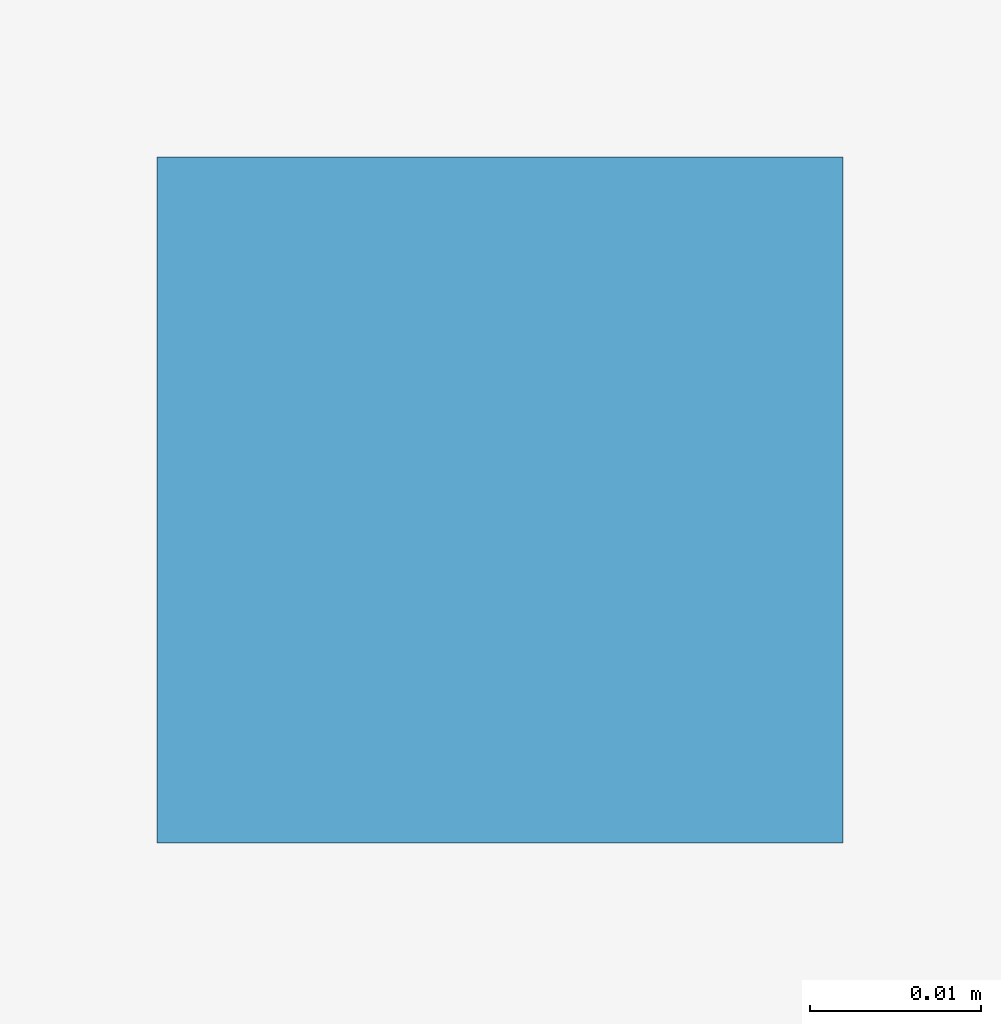
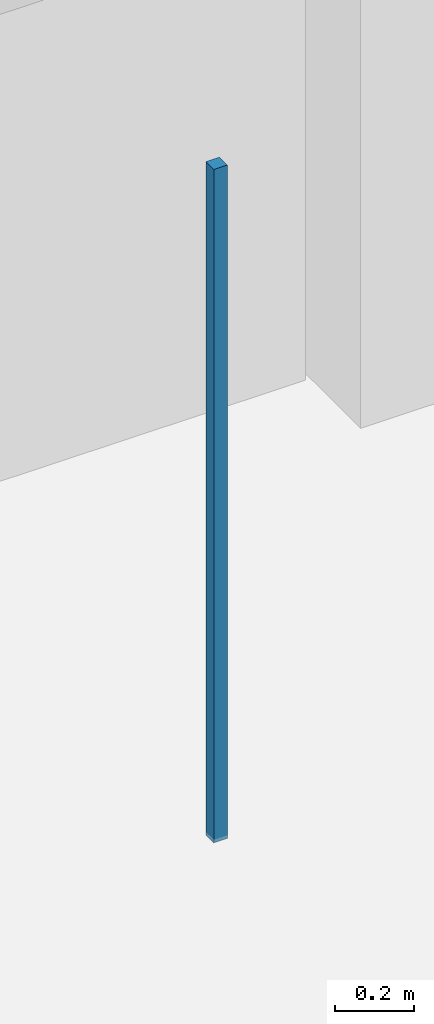
# One storey, part 115 of 157: 1 discrete accessory.
"""IFC4 building model written with IfcOpenShell, lengths in metres."""

from ifc_helpers import new_model, si_unit, direction, frame, origin, origin_2d, place, context, subcontext, project, spatial, rectangle, extrude, material, type_object, element, save


model = new_model("IFC4")

# Units and contexts
model_context = context("Model", 3, precision=1e-05, world=origin(), true_north=direction((0.0, 1.0)))
body_context = subcontext(model_context, "Body", "Model", "MODEL_VIEW")
ifc_project = project(units=[si_unit("LENGTHUNIT", "METRE"), si_unit("AREAUNIT", "SQUARE_METRE"), si_unit("VOLUMEUNIT", "CUBIC_METRE"), si_unit("PLANEANGLEUNIT", "RADIAN"), si_unit("MASSUNIT", "GRAM", prefix="KILO")], contexts=[model_context])

# Site, building, storey
site_placement = place(None, origin())
site = spatial("IfcSite", under=ifc_project, at=site_placement, CompositionType="ELEMENT")
building_placement = place(site_placement, origin())
building = spatial("IfcBuilding", under=site, at=building_placement, Name="Varncliffe General Hospital", CompositionType="ELEMENT")
storey_placement = place(building_placement, frame((0.0, 0.0, 5.39990234375)))
storey = spatial("IfcBuildingStorey", under=building, at=storey_placement, Name="L01", CompositionType="ELEMENT", Elevation=5.39990234375)

# Discrete accessory
ifc_material = material(Name="Powder-coated hospital steel guardrail and handrail", Category="steel")
discrete_accessory_type = type_object("IfcDiscreteAccessoryType", Name="Suspended Ceiling Hanger Bracket CH01", PredefinedType="BRACKET", material=ifc_material)
discrete_accessory_placement = place(storey_placement, frame((29.800048828125, 93.969970703125, 3.18994140625), z_axis=(0.0, 0.0, 1.0), x_axis=(1.0, 0.0, 0.0)))
element("IfcDiscreteAccessory", 1, at=discrete_accessory_placement, inside=storey, type_object=discrete_accessory_type, Name="L01 Suspended Ceiling Hanger 159", PredefinedType="BRACKET", context=body_context, shape_type="SweptSolid", body=[
    extrude(rectangle(XDim=0.0400390625, YDim=0.0400390625, at=origin_2d()), origin(), (0.0, 0.0, 1.0), 2.090087890625),
])

save(model, "model.ifc")
